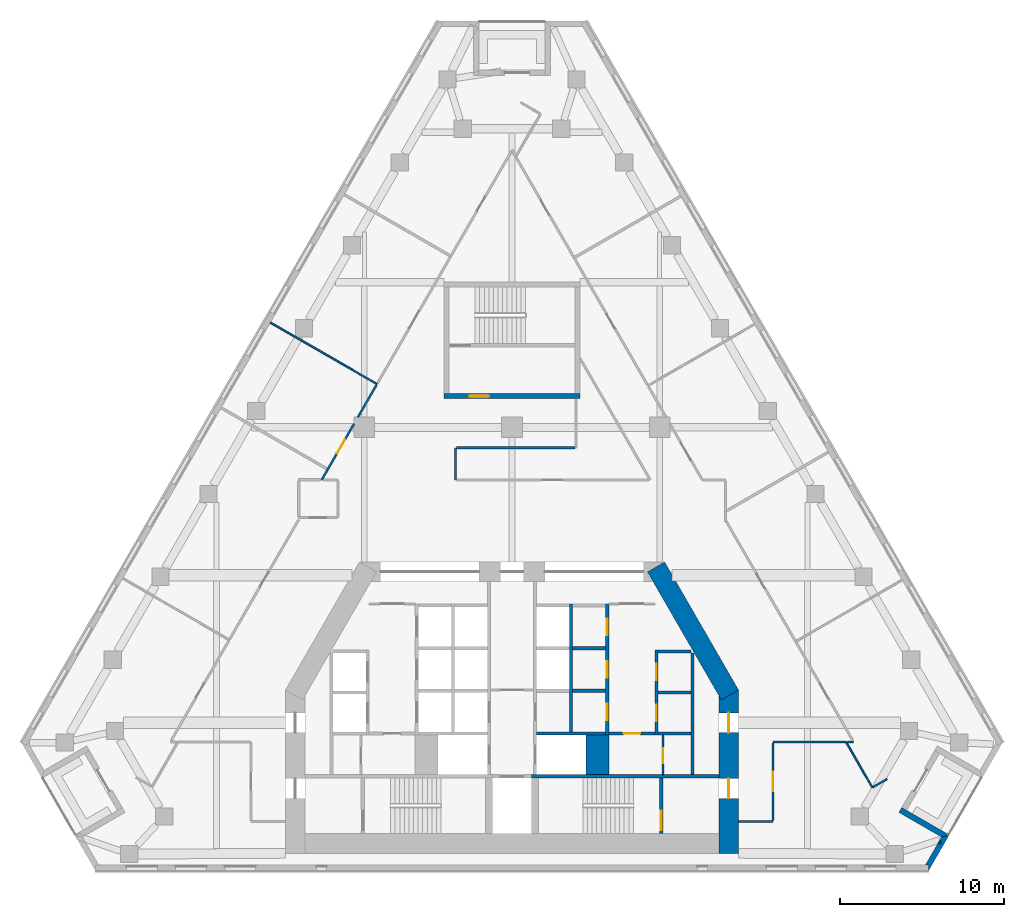
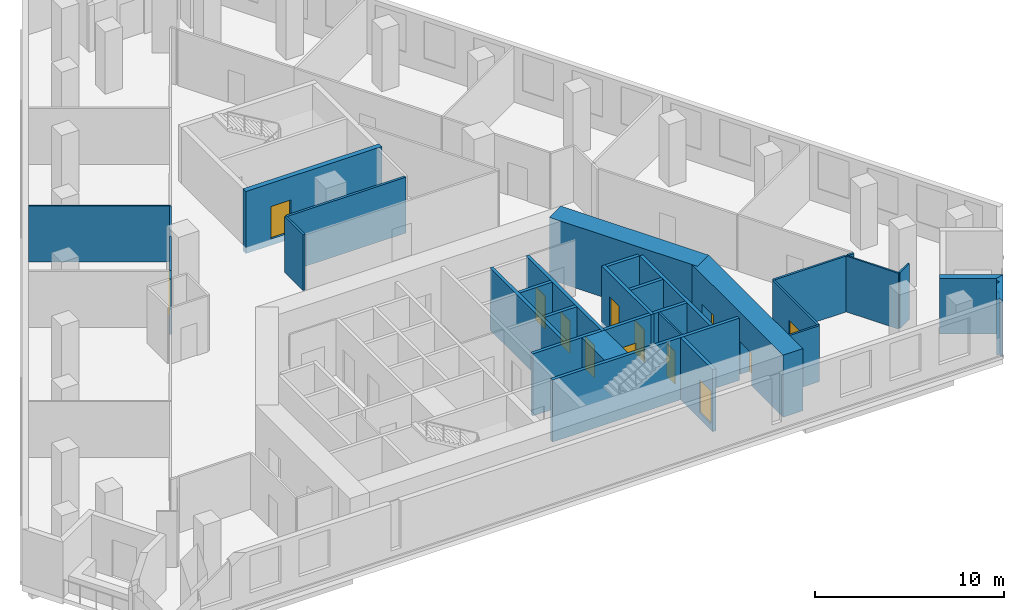
# One storey, part 6 of 10: 33 walls, 13 doors, 13 openings.
"""IFC4 building model written with IfcOpenShell, lengths in metres."""

from ifc_helpers import new_model, si_unit, direction, frame, frame_2d, origin, place, context, subcontext, project, spatial, polyline, rectangle, outline, extrude, material, layer, layer_set, type_object, element, fill, save


model = new_model("IFC4")

# Units and contexts
model_context = context("Model", 3, precision=1e-05, world=origin(), true_north=direction((0.0, 1.0)))
body_context = subcontext(model_context, "Body", "Model", "MODEL_VIEW")
ifc_project = project(units=[si_unit("LENGTHUNIT", "METRE"), si_unit("AREAUNIT", "SQUARE_METRE"), si_unit("VOLUMEUNIT", "CUBIC_METRE"), si_unit("PLANEANGLEUNIT", "RADIAN"), si_unit("MASSUNIT", "GRAM", prefix="KILO")], contexts=[model_context])

# Site, building, storey
site_placement = place(None, origin())
site = spatial("IfcSite", under=ifc_project, at=site_placement, CompositionType="ELEMENT")
building_placement = place(site_placement, origin())
building = spatial("IfcBuilding", under=site, at=building_placement, Name="Fogline Exchange Tower", CompositionType="ELEMENT")
storey_placement = place(building_placement, frame((0.0, 0.0, 124.10009765625)))
storey = spatial("IfcBuildingStorey", under=building, at=storey_placement, Name="L27", CompositionType="ELEMENT", Elevation=124.10009765625)

# Wall, opening, door
ifc_material_1 = material(Name="Blockwork partition", Category="masonry")
ifc_layer_1 = layer(ifc_material_1, 0.10009765625)
ifc_layer_set_1 = layer_set([ifc_layer_1], Name="CW10")
wall_type_1 = type_object("IfcWallType", Name="CW10", PredefinedType="PARTITIONING", material=ifc_layer_set_1)
wall_1_placement = place(storey_placement, frame((9.199951171875, 5.85009765625, 0.0), z_axis=(0.0, 0.0, 1.0), x_axis=(0.0, 1.0, 0.0)))
wall_1 = element("IfcWall", 1, at=wall_1_placement, inside=storey, type_object=wall_type_1, Name="WC partition", PredefinedType="PARTITIONING", context=body_context, shape_type="SweptSolid", body=[
    extrude(rectangle(XDim=2.39990234375, YDim=0.10009765625, at=frame_2d((1.199951171875, 0.0))), origin(), (0.0, 0.0, 1.0), 3.599853515625),
])
opening_1_placement = place(wall_1_placement, frame((0.699951171875, 0.0, 0.0)))
opening_1 = element("IfcOpeningElement", 2, at=opening_1_placement, cuts=wall_1, Name="Opening T08-C015", PredefinedType="OPENING", context=body_context, shape_type="SweptSolid", body=[
    extrude(rectangle(XDim=0.89990234375, YDim=2.10009765625, at=frame_2d((0.449951171875, 1.050048828125))), frame((0.0, 0.06005859375, 0.0), z_axis=(0.0, -1.0, 0.0), x_axis=(1.0, 0.0, 0.0)), (0.0, 0.0, 1.0), 0.1201171875),
])
ifc_material_2 = material(Name="Steel and timber fire door", Category="steel")
door_type_1 = type_object("IfcDoorType", Name="D-CS1", OperationType="SINGLE_SWING_RIGHT", PredefinedType="DOOR", material=ifc_material_2)
door_1_placement = place(opening_1_placement, frame((0.89990234375, 0.0, 0.0), z_axis=(0.0, 0.0, 1.0), x_axis=(-1.0, 0.0, 0.0)))
door_1 = element("IfcDoor", 3, at=door_1_placement, inside=storey, type_object=door_type_1, Name="Door to Cleaner's Store", OperationType="SINGLE_SWING_RIGHT", OverallHeight=2.10009765625, OverallWidth=0.89990234375, PredefinedType="DOOR", context=body_context, shape_type="SweptSolid", body=[
    extrude(rectangle(XDim=0.89990234375, YDim=2.10009765625, at=frame_2d((0.449951171875, 1.050048828125))), frame((0.0, 0.02490234375, 0.0), z_axis=(0.0, -1.0, 0.0), x_axis=(1.0, 0.0, 0.0)), (0.0, 0.0, 1.0), 0.050048828125),
])
fill(opening_1, door_1)

# Walls
ifc_material_3 = material(Name="Concrete C60", Category="concrete")
ifc_layer_2 = layer(ifc_material_3, 1.39990234375)
ifc_layer_set_2 = layer_set([ifc_layer_2], Name="CW140")
wall_type_2 = type_object("IfcWallType", Name="CW140", PredefinedType="SOLIDWALL", material=ifc_layer_set_2)
wall_2_placement = place(storey_placement, frame((5.199951171875, 5.85009765625, -0.400146484375), z_axis=(0.0, 0.0, 1.0), x_axis=(0.0, 1.0, 0.0)))
element("IfcWall", 4, at=wall_2_placement, inside=storey, type_object=wall_type_2, Name="Lift shaft block wall", PredefinedType="SOLIDWALL", context=body_context, shape_type="SweptSolid", body=[
    extrude(rectangle(XDim=2.39990234375, YDim=1.39990234375, at=frame_2d((1.199951171875, 0.0))), origin(), (0.0, 0.0, 1.0), 4.0),
])
ifc_material_4 = material(Name="Concrete C40", Category="concrete")
ifc_layer_3 = layer(ifc_material_4, 0.199951171875)
ifc_layer_set_3 = layer_set([ifc_layer_3], Name="CW20")
wall_type_3 = type_object("IfcWallType", Name="CW20", PredefinedType="SOLIDWALL", material=ifc_layer_set_3)
wall_3_placement = place(storey_placement, frame((11.0, 5.85009765625, 0.0), z_axis=(0.0, 0.0, 1.0), x_axis=(0.0, 1.0, 0.0)))
element("IfcWall", 5, at=wall_3_placement, inside=storey, type_object=wall_type_3, Name="Service room wall", PredefinedType="SOLIDWALL", context=body_context, shape_type="SweptSolid", body=[
    extrude(rectangle(XDim=7.39990234375, YDim=0.199951171875, at=frame_2d((3.699951171875, 0.0))), origin(), (0.0, 0.0, 1.0), 3.599853515625),
])

# Wall, opening, door
wall_4_placement = place(storey_placement, frame((5.89990234375, 8.35009765625, 0.0), z_axis=(0.0, 0.0, 1.0), x_axis=(1.0, 0.0, 0.0)))
wall_4 = element("IfcWall", 6, at=wall_4_placement, inside=storey, type_object=wall_type_3, Name="WC wall", PredefinedType="SOLIDWALL", context=body_context, shape_type="SweptSolid", body=[
    extrude(rectangle(XDim=2.800048828125, YDim=0.199951171875, at=frame_2d((1.39990234375, 0.0))), origin(), (0.0, 0.0, 1.0), 3.599853515625),
])
opening_2_placement = place(wall_4_placement, frame((0.89990234375, 0.0, 0.0)))
opening_2 = element("IfcOpeningElement", 7, at=opening_2_placement, cuts=wall_4, Name="Opening T08-C014", PredefinedType="OPENING", context=body_context, shape_type="SweptSolid", body=[
    extrude(rectangle(XDim=1.0, YDim=2.10009765625, at=frame_2d((0.5, 1.050048828125))), frame((0.0, 0.10986328125, 0.0), z_axis=(0.0, -1.0, 0.0), x_axis=(1.0, 0.0, 0.0)), (0.0, 0.0, 1.0), 0.219970703125),
])
door_type_2 = type_object("IfcDoorType", Name="D-WC1", OperationType="SINGLE_SWING_LEFT", PredefinedType="DOOR", material=ifc_material_2)
door_2_placement = place(opening_2_placement, frame((1.0, 0.0, 0.0), z_axis=(0.0, 0.0, 1.0), x_axis=(-1.0, 0.0, 0.0)))
door_2 = element("IfcDoor", 8, at=door_2_placement, inside=storey, type_object=door_type_2, Name="Door to Women's WC", OperationType="SINGLE_SWING_LEFT", OverallHeight=2.10009765625, OverallWidth=1.0, PredefinedType="DOOR", context=body_context, shape_type="SweptSolid", body=[
    extrude(rectangle(XDim=1.0, YDim=2.10009765625, at=frame_2d((0.5, 1.050048828125))), frame((0.0, 0.02490234375, 0.0), z_axis=(0.0, -1.0, 0.0), x_axis=(1.0, 0.0, 0.0)), (0.0, 0.0, 1.0), 0.050048828125),
])
fill(opening_2, door_2)

# Wall
ifc_layer_4 = layer(ifc_material_4, 0.199951171875)
ifc_layer_set_4 = layer_set([ifc_layer_4], Name="CW20R")
wall_type_4 = type_object("IfcWallType", Name="CW20R", PredefinedType="SOLIDWALL", material=ifc_layer_set_4)
wall_5_placement = place(storey_placement, frame((1.199951171875, 5.75, -0.400146484375), z_axis=(0.0, 0.0, 1.0), x_axis=(1.0, 0.0, 0.0)))
element("IfcWall", 9, at=wall_5_placement, inside=storey, type_object=wall_type_4, Name="Stair enclosure wall", PredefinedType="SOLIDWALL", context=body_context, shape_type="SweptSolid", body=[
    extrude(rectangle(XDim=11.400146484375, YDim=0.199951171875, at=frame_2d((5.7001953125, 0.0))), origin(), (0.0, 0.0, 1.0), 4.0),
])

# Wall, opening, door
wall_6_placement = place(storey_placement, frame((9.10009765625, 2.25, -0.400146484375), z_axis=(0.0, 0.0, 1.0), x_axis=(0.0, 1.0, 0.0)))
wall_6 = element("IfcWall", 10, at=wall_6_placement, inside=storey, type_object=wall_type_4, Name="Stair enclosure wall", PredefinedType="SOLIDWALL", context=body_context, shape_type="SweptSolid", body=[
    extrude(rectangle(XDim=3.39990234375, YDim=0.199951171875, at=frame_2d((1.699951171875, 0.0))), origin(), (0.0, 0.0, 1.0), 4.0),
])
opening_3_placement = place(wall_6_placement, frame((0.199951171875, 0.0, 0.39990234375)))
opening_3 = element("IfcOpeningElement", 11, at=opening_3_placement, cuts=wall_6, Name="Opening T08-C017", PredefinedType="OPENING", context=body_context, shape_type="SweptSolid", body=[
    extrude(rectangle(XDim=1.199951171875, YDim=2.10009765625, at=frame_2d((0.60009765625, 1.050048828125))), frame((0.0, 0.10986328125, 0.0), z_axis=(0.0, -1.0, 0.0), x_axis=(1.0, 0.0, 0.0)), (0.0, 0.0, 1.0), 0.219970703125),
])
door_type_3 = type_object("IfcDoorType", Name="D-ST1", OperationType="SINGLE_SWING_LEFT", PredefinedType="DOOR", material=ifc_material_2)
door_3_placement = place(opening_3_placement, origin())
door_3 = element("IfcDoor", 12, at=door_3_placement, inside=storey, type_object=door_type_3, Name="Stair door ST2", OperationType="SINGLE_SWING_LEFT", OverallHeight=2.10009765625, OverallWidth=1.199951171875, PredefinedType="DOOR", context=body_context, shape_type="SweptSolid", body=[
    extrude(rectangle(XDim=1.199951171875, YDim=2.10009765625, at=frame_2d((0.60009765625, 1.050048828125))), frame((0.0, 0.02490234375, 0.0), z_axis=(0.0, -1.0, 0.0), x_axis=(1.0, 0.0, 0.0)), (0.0, 0.0, 1.0), 0.050048828125),
])
fill(opening_3, door_3)

# Wall, openings, doors
ifc_layer_5 = layer(ifc_material_4, 0.199951171875)
ifc_layer_set_5 = layer_set([ifc_layer_5], Name="CW20S")
wall_type_5 = type_object("IfcWallType", Name="CW20S", PredefinedType="SOLIDWALL", material=ifc_layer_set_5)
wall_7_placement = place(storey_placement, frame((8.800048828125, 8.25, -0.400146484375), z_axis=(0.0, 0.0, 1.0), x_axis=(0.0, 1.0, 0.0)))
wall_7 = element("IfcWall", 13, at=wall_7_placement, inside=storey, type_object=wall_type_5, Name="Lift shaft wall", PredefinedType="SOLIDWALL", context=body_context, shape_type="SweptSolid", body=[
    extrude(rectangle(XDim=5.199951171875, YDim=0.199951171875, at=frame_2d((2.60009765625, 0.0))), origin(), (0.0, 0.0, 1.0), 4.0),
])
opening_4_placement = place(wall_7_placement, frame((0.85009765625, 0.0, 0.39990234375)))
opening_4 = element("IfcOpeningElement", 14, at=opening_4_placement, cuts=wall_7, Name="Opening T08-C001", PredefinedType="OPENING", context=body_context, shape_type="SweptSolid", body=[
    extrude(rectangle(XDim=1.0, YDim=2.10009765625, at=frame_2d((0.5, 1.050048828125))), frame((0.0, 0.10986328125, 0.0), z_axis=(0.0, -1.0, 0.0), x_axis=(1.0, 0.0, 0.0)), (0.0, 0.0, 1.0), 0.219970703125),
])
opening_5_placement = place(wall_7_placement, frame((3.35009765625, 0.0, 0.39990234375)))
opening_5 = element("IfcOpeningElement", 15, at=opening_5_placement, cuts=wall_7, Name="Opening T08-C002", PredefinedType="OPENING", context=body_context, shape_type="SweptSolid", body=[
    extrude(rectangle(XDim=1.0, YDim=2.10009765625, at=frame_2d((0.5, 1.050048828125))), frame((0.0, 0.10986328125, 0.0), z_axis=(0.0, -1.0, 0.0), x_axis=(1.0, 0.0, 0.0)), (0.0, 0.0, 1.0), 0.219970703125),
])
door_type_4 = type_object("IfcDoorType", Name="D-RM1", OperationType="SINGLE_SWING_LEFT", PredefinedType="DOOR", material=ifc_material_2)
door_4_placement = place(opening_4_placement, frame((1.0, 0.0, 0.0), z_axis=(0.0, 0.0, 1.0), x_axis=(-1.0, 0.0, 0.0)))
door_4 = element("IfcDoor", 16, at=door_4_placement, inside=storey, type_object=door_type_4, Name="Door to Records Store", OperationType="SINGLE_SWING_LEFT", OverallHeight=2.10009765625, OverallWidth=1.0, PredefinedType="DOOR", context=body_context, shape_type="SweptSolid", body=[
    extrude(rectangle(XDim=1.0, YDim=2.10009765625, at=frame_2d((0.5, 1.050048828125))), frame((0.0, 0.02490234375, 0.0), z_axis=(0.0, -1.0, 0.0), x_axis=(1.0, 0.0, 0.0)), (0.0, 0.0, 1.0), 0.050048828125),
])
fill(opening_4, door_4)
door_5_placement = place(opening_5_placement, frame((1.0, 0.0, 0.0), z_axis=(0.0, 0.0, 1.0), x_axis=(-1.0, 0.0, 0.0)))
door_5 = element("IfcDoor", 17, at=door_5_placement, inside=storey, type_object=door_type_4, Name="Door to Riser Room", OperationType="SINGLE_SWING_LEFT", OverallHeight=2.10009765625, OverallWidth=1.0, PredefinedType="DOOR", context=body_context, shape_type="SweptSolid", body=[
    extrude(rectangle(XDim=1.0, YDim=2.10009765625, at=frame_2d((0.5, 1.050048828125))), frame((0.0, 0.02490234375, 0.0), z_axis=(0.0, -1.0, 0.0), x_axis=(1.0, 0.0, 0.0)), (0.0, 0.0, 1.0), 0.050048828125),
])
fill(opening_5, door_5)

wall_8_placement = place(storey_placement, frame((5.800048828125, 8.25, -0.400146484375), z_axis=(0.0, 0.0, 1.0), x_axis=(0.0, 1.0, 0.0)))
wall_8 = element("IfcWall", 18, at=wall_8_placement, inside=storey, type_object=wall_type_5, Name="Lift shaft wall", PredefinedType="SOLIDWALL", context=body_context, shape_type="SweptSolid", body=[
    extrude(rectangle(XDim=8.0, YDim=0.199951171875, at=frame_2d((4.0, 0.0))), origin(), (0.0, 0.0, 1.0), 4.0),
])
opening_6_placement = place(wall_8_placement, frame((0.89990234375, 0.0, 0.39990234375)))
opening_6 = element("IfcOpeningElement", 19, at=opening_6_placement, cuts=wall_8, Name="Opening T08-C003", PredefinedType="OPENING", context=body_context, shape_type="SweptSolid", body=[
    extrude(rectangle(XDim=1.0, YDim=2.10009765625, at=frame_2d((0.5, 1.050048828125))), frame((0.0, 0.10986328125, 0.0), z_axis=(0.0, -1.0, 0.0), x_axis=(1.0, 0.0, 0.0)), (0.0, 0.0, 1.0), 0.219970703125),
])
opening_7_placement = place(wall_8_placement, frame((3.5, 0.0, 0.39990234375)))
opening_7 = element("IfcOpeningElement", 20, at=opening_7_placement, cuts=wall_8, Name="Opening T08-C004", PredefinedType="OPENING", context=body_context, shape_type="SweptSolid", body=[
    extrude(rectangle(XDim=1.0, YDim=2.10009765625, at=frame_2d((0.5, 1.050048828125))), frame((0.0, 0.10986328125, 0.0), z_axis=(0.0, -1.0, 0.0), x_axis=(1.0, 0.0, 0.0)), (0.0, 0.0, 1.0), 0.219970703125),
])
opening_8_placement = place(wall_8_placement, frame((6.10009765625, 0.0, 0.39990234375)))
opening_8 = element("IfcOpeningElement", 21, at=opening_8_placement, cuts=wall_8, Name="Opening T08-C005", PredefinedType="OPENING", context=body_context, shape_type="SweptSolid", body=[
    extrude(rectangle(XDim=1.0, YDim=2.10009765625, at=frame_2d((0.5, 1.050048828125))), frame((0.0, 0.10986328125, 0.0), z_axis=(0.0, -1.0, 0.0), x_axis=(1.0, 0.0, 0.0)), (0.0, 0.0, 1.0), 0.219970703125),
])
door_6_placement = place(opening_6_placement, origin())
door_6 = element("IfcDoor", 22, at=door_6_placement, inside=storey, type_object=door_type_4, Name="Door to Plant Room", OperationType="SINGLE_SWING_RIGHT", OverallHeight=2.10009765625, OverallWidth=1.0, PredefinedType="DOOR", context=body_context, shape_type="SweptSolid", body=[
    extrude(rectangle(XDim=1.0, YDim=2.10009765625, at=frame_2d((0.5, 1.050048828125))), frame((0.0, 0.02490234375, 0.0), z_axis=(0.0, -1.0, 0.0), x_axis=(1.0, 0.0, 0.0)), (0.0, 0.0, 1.0), 0.050048828125),
])
fill(opening_6, door_6)
door_7_placement = place(opening_7_placement, origin())
door_7 = element("IfcDoor", 23, at=door_7_placement, inside=storey, type_object=door_type_4, Name="Door to Cable Store", OperationType="SINGLE_SWING_LEFT", OverallHeight=2.10009765625, OverallWidth=1.0, PredefinedType="DOOR", context=body_context, shape_type="SweptSolid", body=[
    extrude(rectangle(XDim=1.0, YDim=2.10009765625, at=frame_2d((0.5, 1.050048828125))), frame((0.0, 0.02490234375, 0.0), z_axis=(0.0, -1.0, 0.0), x_axis=(1.0, 0.0, 0.0)), (0.0, 0.0, 1.0), 0.050048828125),
])
fill(opening_7, door_7)
door_8_placement = place(opening_8_placement, origin())
door_8 = element("IfcDoor", 24, at=door_8_placement, inside=storey, type_object=door_type_4, Name="Door to Server Room", OperationType="SINGLE_SWING_LEFT", OverallHeight=2.10009765625, OverallWidth=1.0, PredefinedType="DOOR", context=body_context, shape_type="SweptSolid", body=[
    extrude(rectangle(XDim=1.0, YDim=2.10009765625, at=frame_2d((0.5, 1.050048828125))), frame((0.0, 0.02490234375, 0.0), z_axis=(0.0, -1.0, 0.0), x_axis=(1.0, 0.0, 0.0)), (0.0, 0.0, 1.0), 0.050048828125),
])
fill(opening_8, door_8)

# Walls
wall_9_placement = place(storey_placement, frame((3.60009765625, 8.449951171875, -0.400146484375), z_axis=(0.0, 0.0, 1.0), x_axis=(0.0, 1.0, 0.0)))
element("IfcWall", 25, at=wall_9_placement, inside=storey, type_object=wall_type_5, Name="Lift shaft wall", PredefinedType="SOLIDWALL", context=body_context, shape_type="SweptSolid", body=[
    extrude(rectangle(XDim=7.800048828125, YDim=0.199951171875, at=frame_2d((3.89990234375, 0.0))), origin(), (0.0, 0.0, 1.0), 4.0),
])
wall_10_placement = place(storey_placement, frame((8.89990234375, 8.35009765625, -0.400146484375), z_axis=(0.0, 0.0, 1.0), x_axis=(1.0, 0.0, 0.0)))
element("IfcWall", 26, at=wall_10_placement, inside=storey, type_object=wall_type_5, Name="Lift shaft wall", PredefinedType="SOLIDWALL", context=body_context, shape_type="SweptSolid", body=[
    extrude(rectangle(XDim=2.0, YDim=0.199951171875, at=frame_2d((1.0, 0.0))), origin(), (0.0, 0.0, 1.0), 4.0),
])
wall_11_placement = place(storey_placement, frame((1.5, 8.35009765625, -0.400146484375), z_axis=(0.0, 0.0, 1.0), x_axis=(1.0, 0.0, 0.0)))
element("IfcWall", 27, at=wall_11_placement, inside=storey, type_object=wall_type_5, Name="Lift shaft wall", PredefinedType="SOLIDWALL", context=body_context, shape_type="SweptSolid", body=[
    extrude(rectangle(XDim=4.199951171875, YDim=0.199951171875, at=frame_2d((2.10009765625, 0.0))), origin(), (0.0, 0.0, 1.0), 4.0),
])
for number, where, z_axis, x_axis, name in (
    (28, (8.89990234375, 10.85009765625, -0.400146484375), (0.0, 0.0, 1.0), (1.0, 0.0, 0.0), "Lift shaft wall"),
    (29, (8.89990234375, 13.35009765625, -0.400146484375), (0.0, 0.0, 1.0), (1.0, 0.0, 0.0), "Lift shaft wall"),
    (30, (3.699951171875, 10.949951171875, -0.400146484375), (0.0, 0.0, 1.0), (1.0, 0.0, 0.0), "Lift shaft wall"),
    (31, (3.699951171875, 13.550048828125, -0.400146484375), (0.0, 0.0, 1.0), (1.0, 0.0, 0.0), "Lift shaft wall"),
):
    element("IfcWall", number, at=place(storey_placement, frame(where, z_axis=z_axis, x_axis=x_axis)), inside=storey, type_object=wall_type_5, Name=name, PredefinedType="SOLIDWALL", context=body_context, shape_type="SweptSolid", body=[
        extrude(rectangle(XDim=2.0, YDim=0.199951171875, at=frame_2d((1.0, 0.0))), origin(), (0.0, 0.0, 1.0), 4.0),
    ])

# Wall, opening, door
ifc_layer_6 = layer(ifc_material_4, 0.300048828125)
ifc_layer_set_6 = layer_set([ifc_layer_6], Name="CW30")
wall_type_6 = type_object("IfcWallType", Name="CW30", PredefinedType="SOLIDWALL", material=ifc_layer_set_6)
wall_12_placement = place(storey_placement, frame((-4.14990234375, 28.906982421875, -0.400146484375), z_axis=(0.0, 0.0, 1.0), x_axis=(1.0, 0.0, 0.0)))
wall_12 = element("IfcWall", 32, at=wall_12_placement, inside=storey, type_object=wall_type_6, Name="Stair enclosure wall ST3", PredefinedType="SOLIDWALL", context=body_context, shape_type="SweptSolid", body=[
    extrude(rectangle(XDim=8.2998046875, YDim=0.300048828125, at=frame_2d((4.14990234375, 0.0))), origin(), (0.0, 0.0, 1.0), 4.0),
])
opening_9_placement = place(wall_12_placement, frame((1.550048828125, 0.0, 0.39990234375)))
opening_9 = element("IfcOpeningElement", 33, at=opening_9_placement, cuts=wall_12, Name="Opening T08-C023", PredefinedType="OPENING", context=body_context, shape_type="SweptSolid", body=[
    extrude(rectangle(XDim=1.199951171875, YDim=2.10009765625, at=frame_2d((0.60009765625, 1.050048828125))), frame((0.0, 0.16015625, 0.0), z_axis=(0.0, -1.0, 0.0), x_axis=(1.0, 0.0, 0.0)), (0.0, 0.0, 1.0), 0.320068359375),
])
door_type_5 = type_object("IfcDoorType", Name="D-FR1", OperationType="SINGLE_SWING_RIGHT", PredefinedType="DOOR", material=ifc_material_2)
door_9_placement = place(opening_9_placement, origin())
door_9 = element("IfcDoor", 34, at=door_9_placement, inside=storey, type_object=door_type_5, Name="Front room door ST3", OperationType="SINGLE_SWING_LEFT", OverallHeight=2.10009765625, OverallWidth=1.199951171875, PredefinedType="DOOR", context=body_context, shape_type="SweptSolid", body=[
    extrude(rectangle(XDim=1.199951171875, YDim=2.10009765625, at=frame_2d((0.60009765625, 1.050048828125))), frame((0.0, 0.02490234375, 0.0), z_axis=(0.0, -1.0, 0.0), x_axis=(1.0, 0.0, 0.0)), (0.0, 0.0, 1.0), 0.050048828125),
])
fill(opening_9, door_9)

# Walls
ifc_material_5 = material(Name="Brick masonry", Category="masonry")
ifc_layer_7 = layer(ifc_material_5, 0.340087890625)
ifc_layer_set_7 = layer_set([ifc_layer_7], Name="FW1")
wall_type_7 = type_object("IfcWallType", Name="FW1", PredefinedType="SOLIDWALL", material=ifc_layer_set_7)
wall_13_placement = place(storey_placement, origin())
element("IfcWall", 35, at=wall_13_placement, inside=storey, type_object=wall_type_7, Name="Brick wall L27 SE-c1", PredefinedType="SOLIDWALL", context=body_context, shape_type="SweptSolid", body=[
    extrude(outline(polyline([(26.083984375, 1.877685546875), (26.145751953125, 1.682861328125), (25.9326171875, 1.615234375), (26.083984375, 1.877685546875)])), origin(), (0.0, 0.0, 1.0), 3.0),
])
wall_14_placement = place(storey_placement, origin())
element("IfcWall", 36, at=wall_14_placement, inside=storey, type_object=wall_type_7, Name="Brick wall L27 SE-c1", PredefinedType="SOLIDWALL", context=body_context, shape_type="SweptSolid", body=[
    extrude(outline(polyline([(25.393310546875, -0.001220703125), (25.392578125, -0.0009765625), (25.392578125, 0.33935546875), (25.196044921875, 0.33935546875), (25.9326171875, 1.615234375), (26.145751953125, 1.682861328125), (26.083984375, 1.877685546875), (26.178466796875, 2.041015625), (26.64404296875, 2.166015625), (26.644287109375, 2.165771484375), (25.393310546875, -0.001220703125)])), origin(), (0.0, 0.0, 1.0), 3.599853515625),
])
wall_15_placement = place(storey_placement, origin())
element("IfcWall", 37, at=wall_15_placement, inside=storey, type_object=wall_type_7, Name="Brick wall L27 SE-s1", PredefinedType="SOLIDWALL", context=body_context, shape_type="SweptSolid", body=[
    extrude(outline(polyline([(23.579833984375, 3.540283203125), (23.75048828125, 3.8359375), (24.04541015625, 3.66552734375), (26.64453125, 2.1650390625), (26.64453125, 2.164794921875), (26.1787109375, 2.0400390625), (23.579833984375, 3.540283203125)])), origin(), (0.0, 0.0, 1.0), 3.599853515625),
])
ifc_material_6 = material(Name="Plasterboard partition, 2 layers each side on steel studs", Category="steel")
ifc_layer_8 = layer(ifc_material_6, 0.10009765625)
ifc_layer_set_8 = layer_set([ifc_layer_8], Name="PW1")
wall_type_8 = type_object("IfcWallType", Name="PW1", PredefinedType="PARTITIONING", material=ifc_layer_set_8)
wall_16_placement = place(storey_placement, frame((-8.2265625, 29.64208984375, 0.0), z_axis=(0.0, 0.0, 1.0), x_axis=(-0.866022959057, 0.500004234368, 0.0)))
element("IfcWall", 38, at=wall_16_placement, inside=storey, type_object=wall_type_8, Name="wall-L27-W040", PredefinedType="PARTITIONING", context=body_context, shape_type="SweptSolid", body=[
    extrude(rectangle(XDim=7.5, YDim=0.10009765625, at=frame_2d((3.75, 0.0))), origin(), (0.0, 0.0, 1.0), 3.599853515625),
])
wall_17_placement = place(storey_placement, frame((20.35205078125, 7.840087890625, 0.0), z_axis=(0.0, 0.0, 1.0), x_axis=(0.499981246758, -0.866036230703, 0.0)))
element("IfcWall", 39, at=wall_17_placement, inside=storey, type_object=wall_type_8, Name="wall-L27-W047", PredefinedType="PARTITIONING", context=body_context, shape_type="SweptSolid", body=[
    extrude(rectangle(XDim=3.2119140625, YDim=0.10009765625, at=frame_2d((1.60595703125, 0.0))), origin(), (0.0, 0.0, 1.0), 3.599853515625),
])
wall_18_placement = place(storey_placement, frame((22.00146484375, 5.08349609375, 0.0), z_axis=(0.0, 0.0, 1.0), x_axis=(0.866069217599, 0.499924104568, 0.0)))
element("IfcWall", 40, at=wall_18_placement, inside=storey, type_object=wall_type_8, Name="wall-L27-W048", PredefinedType="PARTITIONING", context=body_context, shape_type="SweptSolid", body=[
    extrude(rectangle(XDim=0.978271484375, YDim=0.10009765625, at=frame_2d((0.4892578125, 0.0))), origin(), (0.0, 0.0, 1.0), 3.599853515625),
])

# Wall, opening, door
ifc_material_7 = material(Name="Plasterboard corridor partition with mineral wool, 2 layers each side")
ifc_layer_9 = layer(ifc_material_7, 0.125)
ifc_layer_set_9 = layer_set([ifc_layer_9], Name="PW2")
wall_type_9 = type_object("IfcWallType", Name="PW2", PredefinedType="PARTITIONING", material=ifc_layer_set_9)
wall_19_placement = place(storey_placement, frame((15.89990234375, 7.777587890625, 0.0), z_axis=(0.0, 0.0, 1.0), x_axis=(0.0, -1.0, 0.0)))
wall_19 = element("IfcWall", 41, at=wall_19_placement, inside=storey, type_object=wall_type_9, Name="wall-L27-W001", PredefinedType="PARTITIONING", context=body_context, shape_type="SweptSolid", body=[
    extrude(rectangle(XDim=4.715087890625, YDim=0.125, at=frame_2d((2.357421875, 0.0))), origin(), (0.0, 0.0, 1.0), 3.599853515625),
])
opening_10_placement = place(wall_19_placement, frame((1.757568359375, 0.0, 0.0)))
opening_10 = element("IfcOpeningElement", 42, at=opening_10_placement, cuts=wall_19, Name="Opening T08-D001", PredefinedType="OPENING", context=body_context, shape_type="SweptSolid", body=[
    extrude(rectangle(XDim=1.199951171875, YDim=2.10009765625, at=frame_2d((0.60009765625, 1.050048828125))), frame((0.0, 0.072509765625, 0.0), z_axis=(0.0, -1.0, 0.0), x_axis=(1.0, 0.0, 0.0)), (0.0, 0.0, 1.0), 0.14501953125),
])
ifc_material_8 = material(Name="Fire-rated glazed door leaf with steel frame", Category="steel")
door_type_6 = type_object("IfcDoorType", Name="D5", OperationType="SINGLE_SWING_LEFT", PredefinedType="DOOR", material=ifc_material_8)
door_10_placement = place(opening_10_placement, origin())
door_10 = element("IfcDoor", 43, at=door_10_placement, inside=storey, type_object=door_type_6, Name="door-L27-D001", OperationType="SINGLE_SWING_LEFT", OverallHeight=2.10009765625, OverallWidth=1.199951171875, PredefinedType="DOOR", context=body_context, shape_type="SweptSolid", body=[
    extrude(rectangle(XDim=1.199951171875, YDim=2.10009765625, at=frame_2d((0.60009765625, 1.050048828125))), frame((0.0, 0.02490234375, 0.0), z_axis=(0.0, -1.0, 0.0), x_axis=(1.0, 0.0, 0.0)), (0.0, 0.0, 1.0), 0.050048828125),
])
fill(opening_10, door_10)

# Wall
wall_20_placement = place(storey_placement, frame((15.89990234375, 3.0, 0.0), z_axis=(0.0, 0.0, 1.0), x_axis=(-1.0, 0.0, 0.0)))
element("IfcWall", 44, at=wall_20_placement, inside=storey, type_object=wall_type_9, Name="wall-L27-W002", PredefinedType="PARTITIONING", context=body_context, shape_type="SweptSolid", body=[
    extrude(rectangle(XDim=2.099853515625, YDim=0.125, at=frame_2d((1.0498046875, 0.0))), origin(), (0.0, 0.0, 1.0), 3.599853515625),
])

# Wall, opening, door
wall_21_placement = place(storey_placement, frame((-11.2265625, 24.44580078125, 0.0), z_axis=(0.0, 0.0, 1.0), x_axis=(0.499975356835, 0.866039631055, 0.0)))
wall_21 = element("IfcWall", 45, at=wall_21_placement, inside=storey, type_object=wall_type_9, Name="wall-L27-W019", PredefinedType="PARTITIONING", context=body_context, shape_type="SweptSolid", body=[
    extrude(rectangle(XDim=3.203369140625, YDim=0.125, at=frame_2d((1.6015625, 0.0))), origin(), (0.0, 0.0, 1.0), 3.599853515625),
])
opening_11_placement = place(wall_21_placement, frame((1.1015625, 0.0, 0.0)))
opening_11 = element("IfcOpeningElement", 46, at=opening_11_placement, cuts=wall_21, Name="Opening T08-D010", PredefinedType="OPENING", context=body_context, shape_type="SweptSolid", body=[
    extrude(rectangle(XDim=1.0, YDim=2.10009765625, at=frame_2d((0.5, 1.050048828125))), frame((0.0, 0.072509765625, 0.0), z_axis=(0.0, -1.0, 0.0), x_axis=(1.0, 0.0, 0.0)), (0.0, 0.0, 1.0), 0.14501953125),
])
ifc_material_9 = material(Name="Fire-rated timber door leaf with steel frame", Category="steel")
door_type_7 = type_object("IfcDoorType", Name="D3", OperationType="SINGLE_SWING_LEFT", PredefinedType="DOOR", material=ifc_material_9)
door_11_placement = place(opening_11_placement, origin())
door_11 = element("IfcDoor", 47, at=door_11_placement, inside=storey, type_object=door_type_7, Name="door-L27-D010", OperationType="SINGLE_SWING_LEFT", OverallHeight=2.10009765625, OverallWidth=1.0, PredefinedType="DOOR", context=body_context, shape_type="SweptSolid", body=[
    extrude(rectangle(XDim=1.0, YDim=2.10009765625, at=frame_2d((0.5, 1.050048828125))), frame((0.0, 0.02490234375, 0.0), z_axis=(0.0, -1.0, 0.0), x_axis=(1.0, 0.0, 0.0)), (0.0, 0.0, 1.0), 0.050048828125),
])
fill(opening_11, door_11)

# Walls
wall_22_placement = place(storey_placement, frame((-9.39111328125, 27.625, 0.0), z_axis=(0.0, 0.0, 1.0), x_axis=(0.500022320372, 0.866012516728, 0.0)))
element("IfcWall", 48, at=wall_22_placement, inside=storey, type_object=wall_type_9, Name="wall-L27-W020", PredefinedType="PARTITIONING", context=body_context, shape_type="SweptSolid", body=[
    extrude(rectangle(XDim=2.27880859375, YDim=0.125, at=frame_2d((1.139404296875, 0.0))), origin(), (0.0, 0.0, 1.0), 3.599853515625),
])
wall_23_placement = place(storey_placement, frame((-11.599609375, 23.800048828125, 0.0), z_axis=(0.0, 0.0, 1.0), x_axis=(0.500223055231, 0.865896584481, 0.0)))
element("IfcWall", 49, at=wall_23_placement, inside=storey, type_object=wall_type_9, Name="wall-L27-W022", PredefinedType="PARTITIONING", context=body_context, shape_type="SweptSolid", body=[
    extrude(rectangle(XDim=0.745849609375, YDim=0.125, at=frame_2d((0.373046875, 0.0))), origin(), (0.0, 0.0, 1.0), 3.599853515625),
])
wall_24_placement = place(storey_placement, frame((20.308349609375, 7.840087890625, 0.0), z_axis=(0.0, 0.0, 1.0), x_axis=(-1.0, 0.0, 0.0)))
element("IfcWall", 50, at=wall_24_placement, inside=storey, type_object=wall_type_9, Name="wall-L27-W029", PredefinedType="PARTITIONING", context=body_context, shape_type="SweptSolid", body=[
    extrude(rectangle(XDim=4.408447265625, YDim=0.125, at=frame_2d((2.2041015625, 0.0))), origin(), (0.0, 0.0, 1.0), 3.599853515625),
])
wall_25_placement = place(storey_placement, frame((20.81396484375, 7.840087890625, 0.0), z_axis=(0.0, 0.0, 1.0), x_axis=(-1.0, 0.0, 0.0)))
element("IfcWall", 51, at=wall_25_placement, inside=storey, type_object=wall_type_9, Name="wall-L27-W031", PredefinedType="PARTITIONING", context=body_context, shape_type="SweptSolid", body=[
    extrude(rectangle(XDim=0.36767578125, YDim=0.125, at=frame_2d((0.183837890625, 0.0))), origin(), (0.0, 0.0, 1.0), 3.599853515625),
])
wall_26_placement = place(storey_placement, frame((-3.449951171875, 25.757080078125, 0.0), z_axis=(0.0, 0.0, 1.0), x_axis=(0.0, -1.0, 0.0)))
element("IfcWall", 52, at=wall_26_placement, inside=storey, type_object=wall_type_9, Name="wall-L27-W033", PredefinedType="PARTITIONING", context=body_context, shape_type="SweptSolid", body=[
    extrude(rectangle(XDim=1.95703125, YDim=0.125, at=frame_2d((0.978515625, 0.0))), origin(), (0.0, 0.0, 1.0), 3.599853515625),
])
ifc_material_10 = material(Name="Plasterboard stair lobby partition, 3 layers each side on steel studs", Category="steel")
ifc_layer_10 = layer(ifc_material_10, 0.14990234375)
ifc_layer_set_10 = layer_set([ifc_layer_10], Name="PW4")
wall_type_10 = type_object("IfcWallType", Name="PW4", PredefinedType="PARTITIONING", material=ifc_layer_set_10)
wall_27_placement = place(storey_placement, frame((3.824951171875, 25.757080078125, 0.0), z_axis=(0.0, 0.0, 1.0), x_axis=(-1.0, 0.0, 0.0)))
element("IfcWall", 53, at=wall_27_placement, inside=storey, type_object=wall_type_10, Name="wall-L27-W024", PredefinedType="PARTITIONING", context=body_context, shape_type="SweptSolid", body=[
    extrude(rectangle(XDim=7.21240234375, YDim=0.14990234375, at=frame_2d((3.606201171875, 0.0))), origin(), (0.0, 0.0, 1.0), 3.599853515625),
])

# Wall, openings, doors
ifc_layer_11 = layer(ifc_material_3, 1.199951171875)
ifc_layer_set_11 = layer_set([ifc_layer_11], Name="SW02")
wall_type_11 = type_object("IfcWallType", Name="SW02", PredefinedType="SHEAR", material=ifc_layer_set_11)
wall_28_placement = place(storey_placement, frame((13.199951171875, 1.050048828125, 0.0), z_axis=(0.0, 0.0, 1.0), x_axis=(0.0, 1.0, 0.0)))
wall_28 = element("IfcWall", 54, at=wall_28_placement, inside=storey, type_object=wall_type_11, Name="L27-W902", PredefinedType="SHEAR", context=body_context, shape_type="SweptSolid", body=[
    extrude(rectangle(XDim=9.948974609375, YDim=1.199951171875, at=frame_2d((4.974609375, 0.0))), origin(), (0.0, 0.0, 1.0), 4.0),
])
opening_12_placement = place(wall_28_placement, frame((3.35009765625, 0.0, 0.0)))
opening_12 = element("IfcOpeningElement", 55, at=opening_12_placement, cuts=wall_28, Name="Opening T08-C016", PredefinedType="OPENING", context=body_context, shape_type="SweptSolid", body=[
    extrude(rectangle(XDim=1.199951171875, YDim=2.10009765625, at=frame_2d((0.60009765625, 1.050048828125))), frame((0.0, 0.60986328125, 0.0), z_axis=(0.0, -1.0, 0.0), x_axis=(1.0, 0.0, 0.0)), (0.0, 0.0, 1.0), 1.219970703125),
])
opening_13_placement = place(wall_28_placement, frame((7.35009765625, 0.0, 0.0)))
opening_13 = element("IfcOpeningElement", 56, at=opening_13_placement, cuts=wall_28, Name="Opening T08-C018", PredefinedType="OPENING", context=body_context, shape_type="SweptSolid", body=[
    extrude(rectangle(XDim=1.199951171875, YDim=2.10009765625, at=frame_2d((0.60009765625, 1.050048828125))), frame((0.0, 0.60986328125, 0.0), z_axis=(0.0, -1.0, 0.0), x_axis=(1.0, 0.0, 0.0)), (0.0, 0.0, 1.0), 1.219970703125),
])
door_12_placement = place(opening_12_placement, origin())
door_12 = element("IfcDoor", 57, at=door_12_placement, inside=storey, type_object=door_type_5, Name="Front room door ST2", OperationType="SINGLE_SWING_RIGHT", OverallHeight=2.10009765625, OverallWidth=1.199951171875, PredefinedType="DOOR", context=body_context, shape_type="SweptSolid", body=[
    extrude(rectangle(XDim=1.199951171875, YDim=2.10009765625, at=frame_2d((0.60009765625, 1.050048828125))), frame((0.0, 0.02490234375, 0.0), z_axis=(0.0, -1.0, 0.0), x_axis=(1.0, 0.0, 0.0)), (0.0, 0.0, 1.0), 0.050048828125),
])
fill(opening_12, door_12)
door_type_8 = type_object("IfcDoorType", Name="D-SV1", OperationType="SINGLE_SWING_LEFT", PredefinedType="DOOR", material=ifc_material_2)
door_13_placement = place(opening_13_placement, origin())
door_13 = element("IfcDoor", 58, at=door_13_placement, inside=storey, type_object=door_type_8, Name="Service door E", OperationType="SINGLE_SWING_RIGHT", OverallHeight=2.10009765625, OverallWidth=1.199951171875, PredefinedType="DOOR", context=body_context, shape_type="SweptSolid", body=[
    extrude(rectangle(XDim=1.199951171875, YDim=2.10009765625, at=frame_2d((0.60009765625, 1.050048828125))), frame((0.0, 0.02490234375, 0.0), z_axis=(0.0, -1.0, 0.0), x_axis=(1.0, 0.0, 0.0)), (0.0, 0.0, 1.0), 0.050048828125),
])
fill(opening_13, door_13)

# Wall
wall_29_placement = place(storey_placement, frame((13.280517578125, 10.698974609375, 0.0), z_axis=(0.0, 0.0, 1.0), x_axis=(-0.499998513025, 0.866026262288, 0.0)))
element("IfcWall", 59, at=wall_29_placement, inside=storey, type_object=wall_type_11, Name="L27-W903", PredefinedType="SHEAR", context=body_context, shape_type="SweptSolid", body=[
    extrude(rectangle(XDim=9.0078125, YDim=1.199951171875, at=frame_2d((4.50390625, 0.0))), origin(), (0.0, 0.0, 1.0), 4.0),
])

save(model, "model.ifc")
